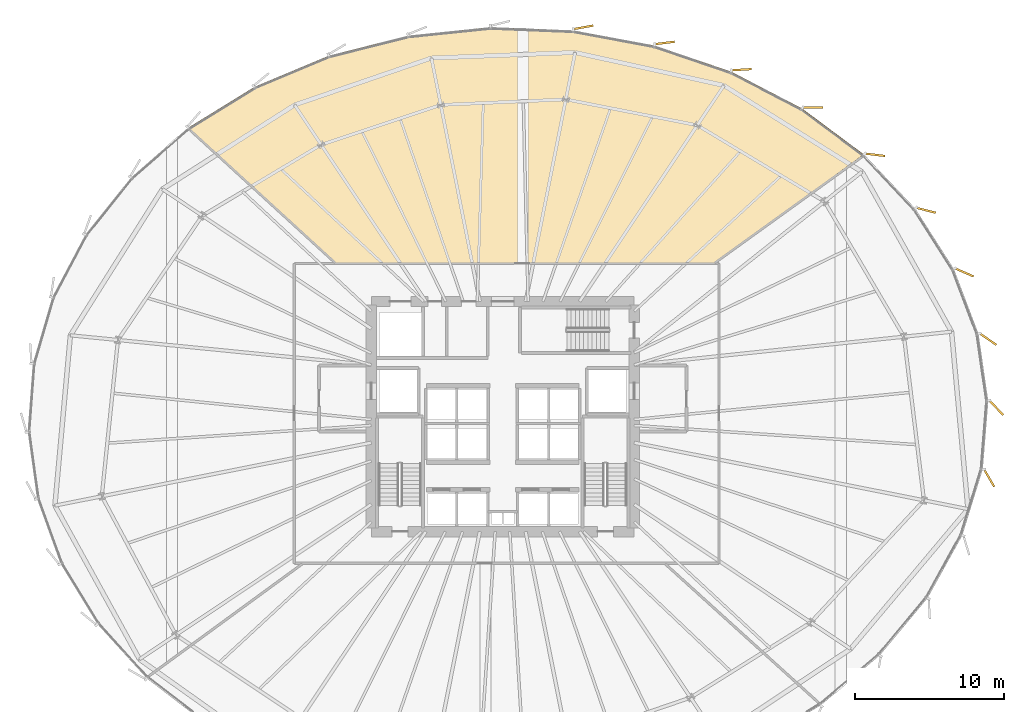
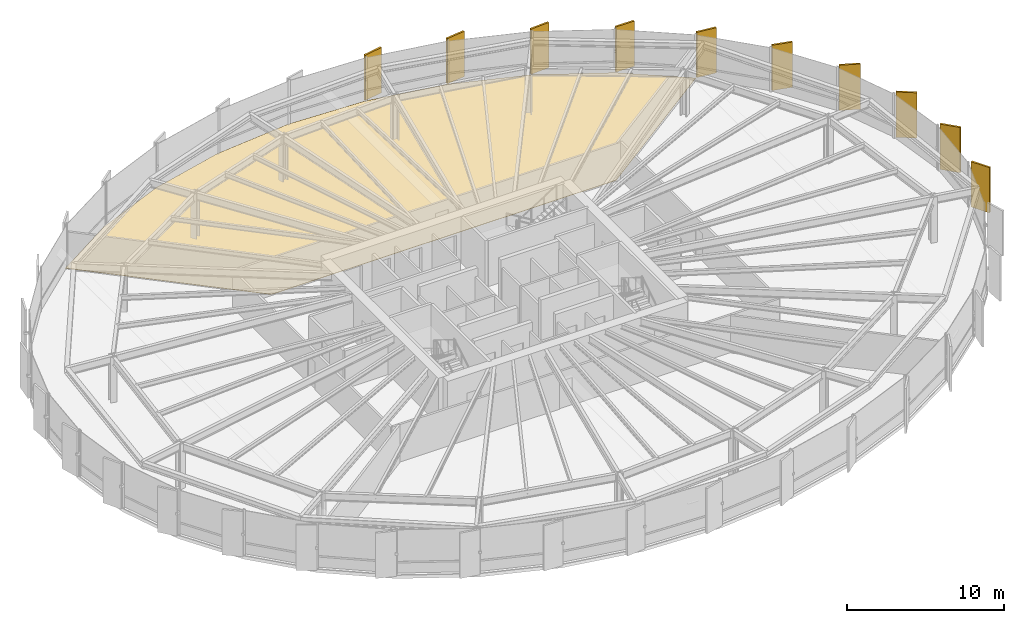
# One storey, part 42 of 42: 11 coverings.
"""IFC4 building model written with IfcOpenShell, lengths in metres."""

from ifc_helpers import new_model, si_unit, direction, frame, origin, origin_2d, place, context, subcontext, project, spatial, polyline, rectangle, outline, extrude, source, transform, mapped, material, layer, layer_set, type_object, element, save


model = new_model("IFC4")

# Units and contexts
model_context = context("Model", 3, precision=1e-05, world=origin(), true_north=direction((0.0, 1.0)))
body_context = subcontext(model_context, "Body", "Model", "MODEL_VIEW")
ifc_project = project(units=[si_unit("LENGTHUNIT", "METRE"), si_unit("AREAUNIT", "SQUARE_METRE"), si_unit("VOLUMEUNIT", "CUBIC_METRE"), si_unit("PLANEANGLEUNIT", "RADIAN"), si_unit("MASSUNIT", "GRAM", prefix="KILO"), si_unit("THERMODYNAMICTEMPERATUREUNIT", "KELVIN")], contexts=[model_context])

# Site, building, storey
site_placement = place(None, origin())
site = spatial("IfcSite", under=ifc_project, at=site_placement, CompositionType="ELEMENT")
building_placement = place(site_placement, origin())
building = spatial("IfcBuilding", under=site, at=building_placement, Name="Kethvar Cultural Tower", CompositionType="ELEMENT")
storey_placement = place(building_placement, frame((0.0, 0.0, 37.199951171875)))
storey = spatial("IfcBuildingStorey", under=building, at=storey_placement, Name="L08", CompositionType="ELEMENT", Elevation=37.199951171875)

# Coverings
ifc_material_1 = material(Name="Architectural Oak Timber", Category="wood")
ifc_layer_1 = layer(ifc_material_1, 0.02490234375, Name="Architectural Oak Timber", Category="wood")
ifc_layer_set_1 = layer_set([ifc_layer_1], Name="Architectural Oak Timber (25 mm)")
covering_type_1 = type_object("IfcCoveringType", Name="CV-OAK-FLOOR", PredefinedType="FLOORING", material=ifc_layer_set_1)
covering_placement = place(storey_placement, origin())
element("IfcCovering", 1, at=covering_placement, inside=storey, type_object=covering_type_1, Name="L08 Room 03 Floor Finish", PredefinedType="FLOORING", context=body_context, shape_type="SweptSolid", body=[
    extrude(outline(polyline([(30.19921875, 49.859375), (35.159912109375, 51.9365234375), (40.474609375, 53.2802734375), (45.981201171875, 53.849609375), (51.52197265625, 53.62744140625), (56.949462890625, 52.621337890625), (62.106689453125, 50.862060546875), (66.834716796875, 48.403076171875), (70.9599609375, 45.334228515625), (60.922607421875, 38.06005859375), (35.6455078125, 38.06005859375), (25.76416015625, 47.125), (30.19921875, 49.859375)])), origin(), (0.0, 0.0, 1.0), 0.025146484375),
])
ifc_material_2 = material(Name="Extruded Architectural Terracotta", Category="masonry")
ifc_layer_2 = layer(ifc_material_2, 0.135009765625, Name="Extruded Architectural Terracotta", Category="masonry")
ifc_layer_set_2 = layer_set([ifc_layer_2], Name="Extruded Architectural Terracotta (135 mm)")
covering_type_2 = type_object("IfcCoveringType", Name="Terracotta Facade Fin FIN-01", PredefinedType="CLADDING", material=ifc_layer_set_2)
shared_shape = source(origin(), body_context, "Body", "SweptSolid", [
    extrude(rectangle(XDim=1.35009765625, YDim=0.135009765625, at=origin_2d()), origin(), (0.0, 0.0, 1.0), 3.510009765625),
])
for number, where, z_axis, x_axis, name in (
    (2, (79.836669921875, 28.383544921875, 0.02001953125), (0.0, 0.0, 1.0), (0.685818352927, -0.727772757657, 0.0), "L08 Vertical Terracotta Fin 1.1"),
    (3, (79.2802734375, 32.978759765625, 0.02001953125), (0.0, 0.0, 1.0), (0.824620157442, -0.565686835572, 0.0), "L08 Vertical Terracotta Fin 1.2"),
    (4, (77.68798828125, 37.447509765625, 0.02001953125), (0.0, 0.0, 1.0), (0.916502421907, -0.400029137237, 0.0), "L08 Vertical Terracotta Fin 1.3"),
    (5, (75.131103515625, 41.603271484375, 0.02001953125), (0.0, 0.0, 1.0), (0.968756543371, -0.248013628006, 0.0), "L08 Vertical Terracotta Fin 1.4"),
    (6, (71.711669921875, 45.318115234375, 0.02001953125), (0.0, 0.0, 1.0), (0.992903375823, -0.118923867576, 0.0), "L08 Vertical Terracotta Fin 1.5"),
    (7, (67.55712890625, 48.480224609375, 0.02001953125), (0.0, 0.0, 1.0), (0.999873875809, -0.015881828465, 0.0), "L08 Vertical Terracotta Fin 1.6"),
    (8, (62.774169921875, 51.01220703125, 0.02001953125), (0.0, 0.0, 1.0), (0.998026728428, 0.062790519529, 0.0), "L08 Vertical Terracotta Fin 2.1"),
    (9, (57.638916015625, 52.803466796875, 0.02001953125), (0.0, 0.0, 1.0), (0.992201958639, 0.124640576354, 0.0), "L08 Vertical Terracotta Fin 2.2"),
    (10, (52.191650390625, 53.847412109375, 0.02001953125), (0.0, 0.0, 1.0), (0.984071739666, 0.177771795263, 0.0), "L08 Vertical Terracotta Fin 2.3"),
    (11, (79.352294921875, 23.688232421875, 0.02001953125), (0.0, 0.0, 1.0), (0.502265533143, -0.86471344052, 0.0), "L08 Vertical Terracotta Fin 6.6"),
):
    element("IfcCovering", number, at=place(storey_placement, frame(where, z_axis=z_axis, x_axis=x_axis)), inside=storey, type_object=covering_type_2, Name=name, PredefinedType="CLADDING", context=body_context, shape_type="MappedRepresentation", body=[
        mapped(shared_shape, transform((0.0, 0.0, 0.0), scale=1.0)),
    ])

save(model, "model.ifc")
